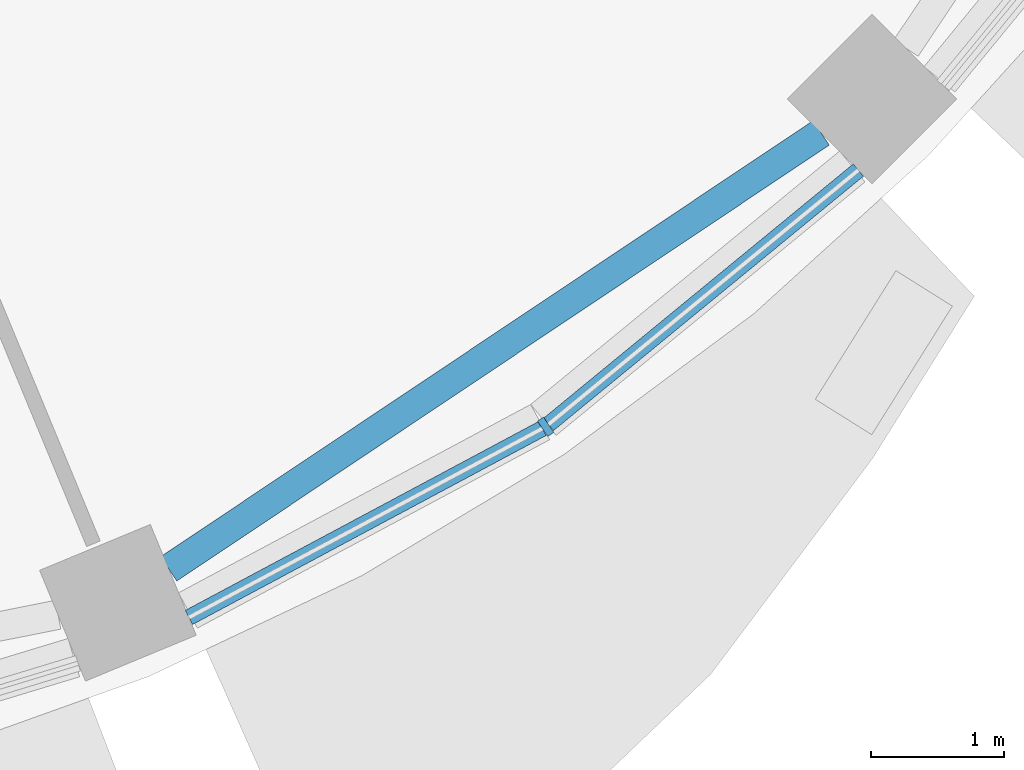
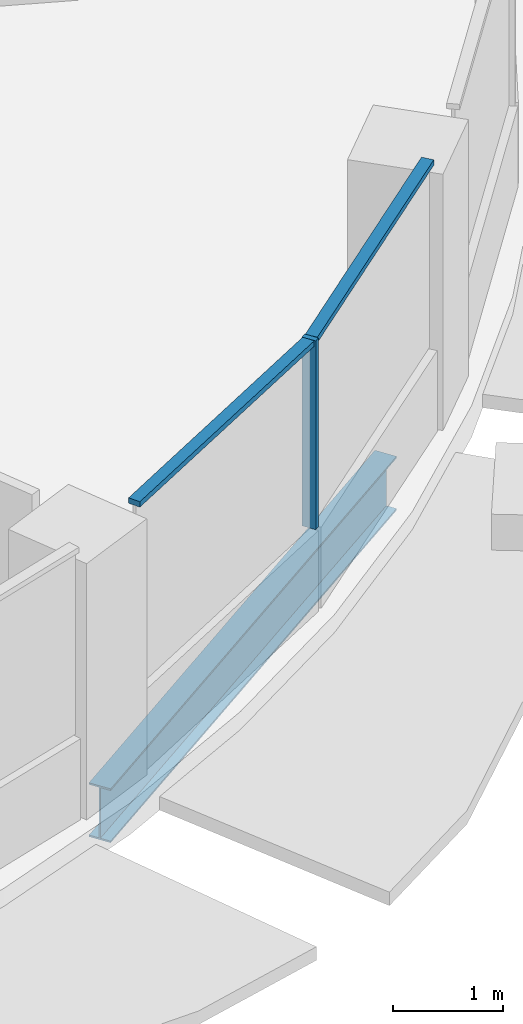
# One storey, part 3 of 15: 3 members, 1 beam, 1 element without a shape of its own.
"""IFC4 building model written with IfcOpenShell, lengths in metres."""

from ifc_helpers import new_model, si_unit, direction, frame, origin, origin_2d, place, context, subcontext, project, spatial, rectangle, i_section, extrude, material, material_profile, profile_set, type_object, element, aggregate, save


model = new_model("IFC4")

# Units and contexts
model_context = context("Model", 3, precision=1e-05, world=origin(), true_north=direction((0.0, 1.0)))
body_context = subcontext(model_context, "Body", "Model", "MODEL_VIEW")
ifc_project = project(units=[si_unit("LENGTHUNIT", "METRE"), si_unit("AREAUNIT", "SQUARE_METRE"), si_unit("VOLUMEUNIT", "CUBIC_METRE"), si_unit("PLANEANGLEUNIT", "RADIAN"), si_unit("MASSUNIT", "GRAM", prefix="KILO")], contexts=[model_context])

# Site, building, storey
site_placement = place(None, origin())
site = spatial("IfcSite", under=ifc_project, at=site_placement, CompositionType="ELEMENT")
building_placement = place(site_placement, origin())
building = spatial("IfcBuilding", under=site, at=building_placement, Name="Polderwave Tower", CompositionType="ELEMENT")
storey_placement = place(building_placement, frame((0.0, 0.0, 191.0)))
storey = spatial("IfcBuildingStorey", under=building, at=storey_placement, Name="L51", CompositionType="ELEMENT", Elevation=191.0)

# Curtain wall, members
ifc_material_1 = material(Name="Aluminium 6063-T6 and glass", Category="aluminium")
curtain_wall_type = type_object("IfcCurtainWallType", Name="Office ribbon glazing wall", PredefinedType="NOTDEFINED", material=ifc_material_1)
curtain_wall_placement = place(storey_placement, origin())
curtain_wall = element("IfcCurtainWall", 1, at=curtain_wall_placement, inside=storey, type_object=curtain_wall_type, Name="CW3 L51 13", PredefinedType="NOTDEFINED")
ifc_material_2 = material(Name="Aluminium 6063-T6", Category="aluminium")
ifc_material_profile_1 = material_profile(ifc_material_2, rectangle(XDim=0.139892578125, YDim=0.054931640625, at=origin_2d()), Name="AL 55x140")
ifc_profile_set_1 = profile_set([ifc_material_profile_1], Name="Aluminium 6063-T6")
member_type_1 = type_object("IfcMemberType", Name="Office ribbon glazing mullion 55x140", PredefinedType="MULLION", material=ifc_profile_set_1)
member_1_placement = place(storey_placement, frame((9.888916015625, -14.800048828125, 0.89990234375), z_axis=(0.0, 0.0, 1.0), x_axis=(-0.55564569252, 0.831419186923, 0.0)))
member_1 = element("IfcMember", 2, at=member_1_placement, type_object=member_type_1, Name="CW3 mullion 1", PredefinedType="MULLION", context=body_context, shape_type="SweptSolid", body=[
    extrude(rectangle(XDim=0.139892578125, YDim=0.054931640625, at=origin_2d()), origin(), (0.0, 0.0, 1.0), 2.10009765625),
])
ifc_material_profile_2 = material_profile(ifc_material_2, rectangle(XDim=0.1201171875, YDim=0.06005859375, at=origin_2d()), Name="AL 60x120")
ifc_profile_set_2 = profile_set([ifc_material_profile_2], Name="Aluminium 6063-T6")
member_type_2 = type_object("IfcMemberType", Name="Office ribbon glazing transom 60x120", PredefinedType="USERDEFINED", material=ifc_profile_set_2)
member_2_placement = place(storey_placement, frame((7.2109375, -16.23193359375, 2.969970703125), z_axis=(0.881858389834, 0.471514347904, 0.0), x_axis=(-0.471514347904, 0.881858389834, 0.0)))
member_2 = element("IfcMember", 3, at=member_2_placement, type_object=member_type_2, Name="CW3 transom 1", ObjectType="TRANSOM", PredefinedType="USERDEFINED", context=body_context, shape_type="SweptSolid", body=[
    extrude(rectangle(XDim=0.1201171875, YDim=0.06005859375, at=origin_2d()), origin(), (0.0, 0.0, 1.0), 3.00927734375),
])
member_3_placement = place(storey_placement, frame((9.910400390625, -14.78271484375, 2.969970703125), z_axis=(0.772973416151, 0.634438411451, 0.0), x_axis=(-0.634438411451, 0.772973416151, 0.0)))
member_3 = element("IfcMember", 4, at=member_3_placement, type_object=member_type_2, Name="CW3 transom 2", ObjectType="TRANSOM", PredefinedType="USERDEFINED", context=body_context, shape_type="SweptSolid", body=[
    extrude(rectangle(XDim=0.1201171875, YDim=0.06005859375, at=origin_2d()), origin(), (0.0, 0.0, 1.0), 3.010009765625),
])
aggregate(curtain_wall, [member_1, member_2, member_3])

# Beam
ifc_material_3 = material(Name="Steel S355", Category="steel")
ifc_material_profile_3 = material_profile(ifc_material_3, i_section(OverallWidth=0.219970703125, OverallDepth=0.60009765625, WebThickness=0.011962890625, FlangeThickness=0.01904296875, at=origin_2d()), Name="IPE 600")
ifc_profile_set_3 = profile_set([ifc_material_profile_3], Name="Steel S355")
beam_type = type_object("IfcBeamType", Name="RING BEAM IPE 600", PredefinedType="BEAM", material=ifc_profile_set_3)
beam_placement = place(storey_placement, frame((7.059326171875, -15.86669921875, -0.64990234375), z_axis=(0.831482400805, 0.555551093196, 0.0), x_axis=(-0.555551093196, 0.831482400805, 0.0)))
element("IfcBeam", 5, at=beam_placement, inside=storey, type_object=beam_type, Name="ST-RB-L51-13", PredefinedType="BEAM", context=body_context, shape_type="SweptSolid", body=[
    extrude(i_section(OverallWidth=0.219970703125, OverallDepth=0.60009765625, WebThickness=0.011962890625, FlangeThickness=0.01904296875, at=origin_2d()), origin(), (0.0, 0.0, 1.0), 5.890869140625),
])

save(model, "model.ifc")
